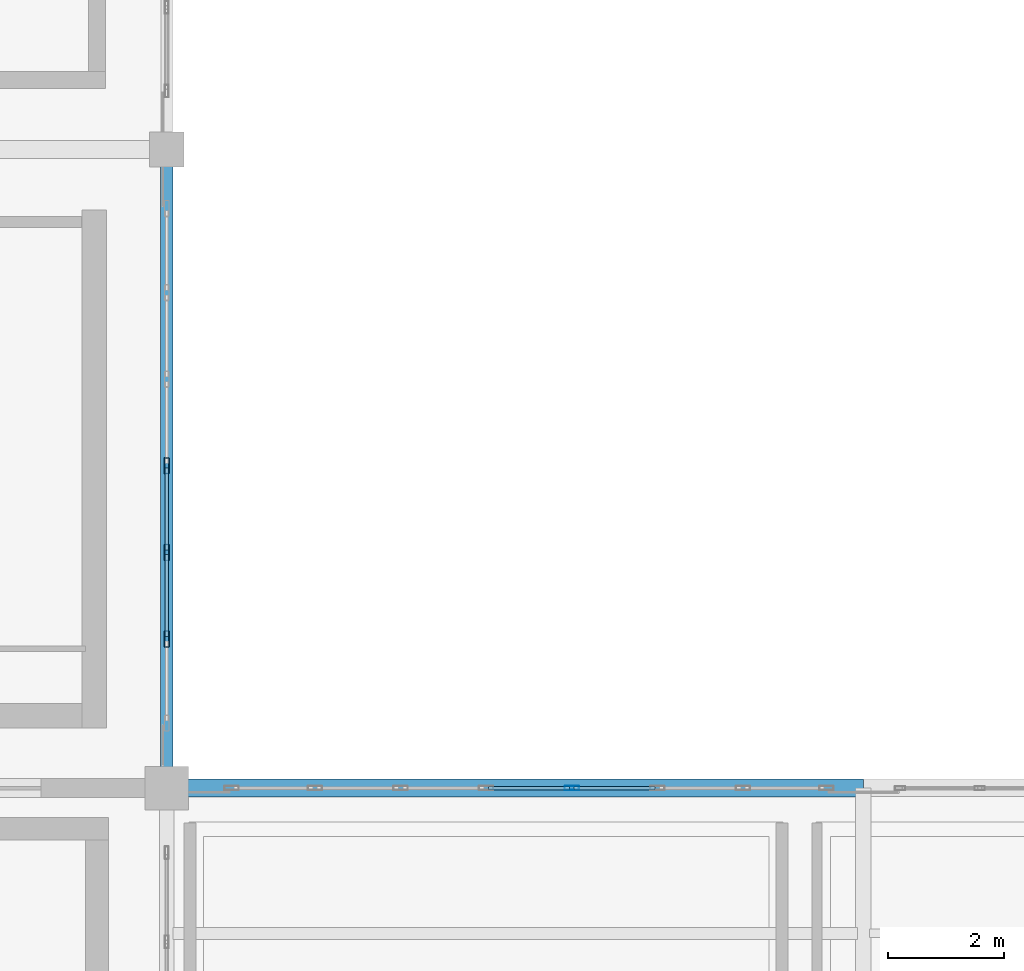
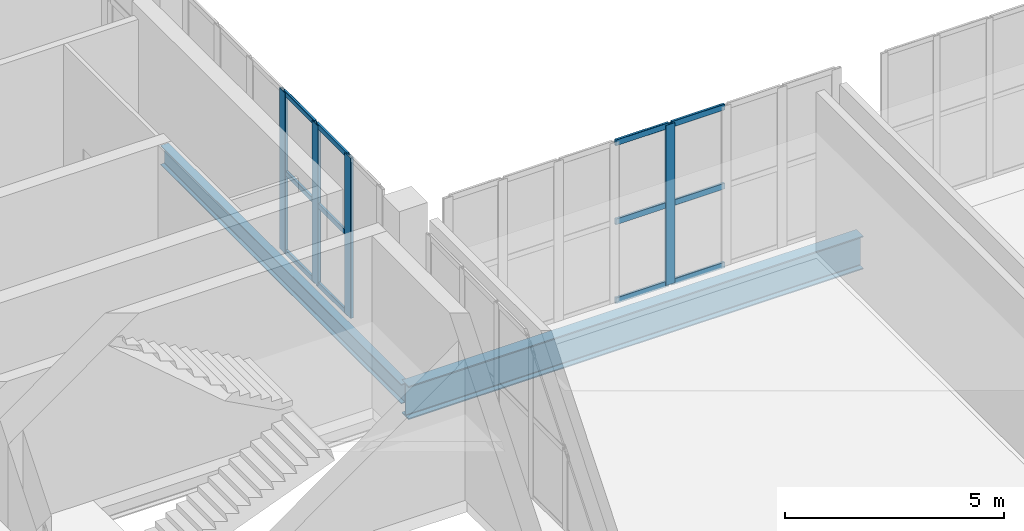
# One storey, part 83 of 136: 16 members, 2 beams, 2 elements without a shape of their own.
"""IFC4 building model written with IfcOpenShell, lengths in metres."""

import ifcopenshell
import ifcopenshell.guid

model = None  # the IFC model being written
_history = None  # IfcOwnerHistory: only IFC2X3 demands one
_inside = {}  # id of a spatial element -> (the spatial element, [elements in it])
_under = {}  # id of a project, library or spatial element -> (it, [spatial elements below it])
_declared = {}  # id of a project -> (the project, [libraries it declares])
_typed = {}  # id of a type object -> (the type object, [elements of that type])
_made_of = {}  # id of a material, layer set ... -> (it, [elements and type objects made of it])


def new_model(schema):
    """Start an empty IFC model of exactly this schema.

    Asked for "IFC4X3", IfcOpenShell would pick the latest addendum, in which some entities
    have other attributes; the version numbers below select the first issue.
    IFC2X3 requires an IfcOwnerHistory on every rooted entity: one is made here for all.
    """
    global model, _history
    if schema == "IFC4X3":
        model = ifcopenshell.file(schema_version=(4, 3, 0, 0))
    else:
        model = ifcopenshell.file(schema=schema)
    _inside.clear()
    _under.clear()
    _declared.clear()
    _typed.clear()
    _made_of.clear()
    _history = None
    if model.schema == "IFC2X3":
        org = make("IfcOrganization", Name="unknown")
        user = make(
            "IfcPersonAndOrganization",
            ThePerson=make("IfcPerson", FamilyName="unknown"),
            TheOrganization=org,
        )
        app = make(
            "IfcApplication",
            ApplicationDeveloper=org,
            Version="unknown",
            ApplicationFullName="unknown",
            ApplicationIdentifier="unknown",
        )
        _history = make(
            "IfcOwnerHistory",
            OwningUser=user,
            OwningApplication=app,
            ChangeAction="ADDED",
            CreationDate=0,
        )
    return model


def make(cls, **values):
    """One entity of the class cls with the attributes given. An attribute that is None is left unset."""
    return model.create_entity(
        cls, **{name: value for name, value in values.items() if value is not None}
    )


def rooted(cls, **values):
    """An entity with a GlobalId (a new one), such as an element, a storey or a relation."""
    return make(cls, GlobalId=ifcopenshell.guid.new(), OwnerHistory=_history, **values)


def si_unit(unit_type, name, prefix=None):
    """IfcSIUnit, for example si_unit("LENGTHUNIT", "METRE", prefix="MILLI")."""
    return make("IfcSIUnit", UnitType=unit_type, Prefix=prefix, Name=name)


def assignment(units):
    """IfcUnitAssignment: the units of a project."""
    return None if units is None else make("IfcUnitAssignment", Units=units)


def point(xyz):
    """IfcCartesianPoint."""
    return None if xyz is None else make("IfcCartesianPoint", Coordinates=xyz)


def direction(xyz):
    """IfcDirection."""
    return None if xyz is None else make("IfcDirection", DirectionRatios=xyz)


def frame(location, z_axis=None, x_axis=None):
    """IfcAxis2Placement3D, a coordinate frame: its origin and axes. An axis left out is left unset."""
    return make(
        "IfcAxis2Placement3D",
        Location=point(location),
        Axis=direction(z_axis),
        RefDirection=direction(x_axis),
    )


def frame_2d(location, x_axis=None):
    """IfcAxis2Placement2D, a coordinate frame in the plane: its origin and x axis."""
    return make(
        "IfcAxis2Placement2D", Location=point(location), RefDirection=direction(x_axis)
    )


def origin():
    """The frame at (0, 0, 0) with its axes left unset."""
    return frame((0.0, 0.0, 0.0))


def origin_2d():
    """The frame at (0, 0) in the plane with its x axis left unset."""
    return frame_2d((0.0, 0.0))


def place(relative_to, where):
    """IfcLocalPlacement: puts the frame where relative to a parent placement (None: the world)."""
    return make(
        "IfcLocalPlacement", PlacementRelTo=relative_to, RelativePlacement=where
    )


def context(
    kind, dimensions, precision=None, world=None, true_north=None, identifier=None
):
    """IfcGeometricRepresentationContext, for example the 3D "Model" context."""
    return make(
        "IfcGeometricRepresentationContext",
        ContextIdentifier=identifier,
        ContextType=kind,
        CoordinateSpaceDimension=dimensions,
        Precision=precision,
        WorldCoordinateSystem=world,
        TrueNorth=true_north,
    )


def subcontext(parent, identifier, kind, view, scale=None):
    """IfcGeometricRepresentationSubContext, for example "Body" below "Model"."""
    return make(
        "IfcGeometricRepresentationSubContext",
        ContextIdentifier=identifier,
        ContextType=kind,
        ParentContext=parent,
        TargetScale=scale,
        TargetView=view,
    )


def project(units=None, contexts=None):
    """IfcProject with its units and contexts."""
    return rooted(
        "IfcProject",
        Name="project",
        RepresentationContexts=contexts,
        UnitsInContext=assignment(units),
    )


def spatial(cls, under=None, at=None, **own):
    """A site, building, storey or space (cls), placed at a placement, below another one or the project."""
    s = rooted(cls, ObjectPlacement=at, **own)
    if under is not None:
        _under.setdefault(under.id(), (under, []))[1].append(s)
    return s


def profile(cls, at=None, kind="AREA", **sizes):
    """A parametric profile (cls). Its sizes go by their IFC names, for example OverallWidth=200.0."""
    return make(cls, ProfileType=kind, Position=at, **sizes)


def hollow_rectangle(**sizes):
    """IfcRectangleHollowProfileDef."""
    return profile("IfcRectangleHollowProfileDef", **sizes)


def i_section(**sizes):
    """IfcIShapeProfileDef."""
    return profile("IfcIShapeProfileDef", **sizes)


def extrude(swept, where, along, depth):
    """IfcExtrudedAreaSolid: the profile swept, set in the frame where, extruded along a direction by depth."""
    return make(
        "IfcExtrudedAreaSolid",
        SweptArea=swept,
        Position=where,
        ExtrudedDirection=direction(along),
        Depth=depth,
    )


def shape(context_of_items, identifier, shape_type, items):
    """IfcShapeRepresentation: the items that make up one representation, for example the "Body"."""
    return make(
        "IfcShapeRepresentation",
        ContextOfItems=context_of_items,
        RepresentationIdentifier=identifier,
        RepresentationType=shape_type,
        Items=items,
    )


def material(Name=None, Category=None):
    """IfcMaterial."""
    return make("IfcMaterial", Name=Name, Category=Category)


def layer(
    of_material, thickness, ventilated=None, Name=None, Category=None, Priority=None
):
    """IfcMaterialLayer: one layer of a wall or slab, of a material (None: an air gap)."""
    return make(
        "IfcMaterialLayer",
        Material=of_material,
        LayerThickness=thickness,
        IsVentilated=ventilated,
        Name=Name,
        Category=Category,
        Priority=Priority,
    )


def layer_set(layers, Name=None):
    """IfcMaterialLayerSet."""
    return make("IfcMaterialLayerSet", MaterialLayers=layers, LayerSetName=Name)


def material_profile(
    of_material, cross_section, Name=None, Category=None, Priority=None
):
    """IfcMaterialProfile: a cross section and its material."""
    return make(
        "IfcMaterialProfile",
        Name=Name,
        Material=of_material,
        Profile=cross_section,
        Priority=Priority,
        Category=Category,
    )


def profile_set(profiles, Name=None, composite=None):
    """IfcMaterialProfileSet."""
    return make(
        "IfcMaterialProfileSet",
        Name=Name,
        MaterialProfiles=profiles,
        CompositeProfile=composite,
    )


def made_of(thing, what):
    """Note that an element or type object is made of a material, layer set ...; save() writes the relation."""
    if what is not None:
        _made_of.setdefault(what.id(), (what, []))[1].append(thing)
    return thing


def type_object(cls, material=None, **own):
    """A type object (cls), such as IfcWallType, which elements share."""
    return made_of(rooted(cls, **own), material)


def element(
    cls,
    number,
    at=None,
    inside=None,
    cuts=None,
    type_object=None,
    material=None,
    context=None,
    identifier="Body",
    shape_type=None,
    held_by="IfcProductDefinitionShape",
    body=None,
    shapes=None,
    **own,
):
    """One element of the class cls, such as IfcWall. Its Tag is "e" and its number.

    at: its placement. inside: the storey or other place that contains it. cuts: it is an
    opening in that element (IfcRelVoidsElement). A single representation is given by context,
    identifier, shape_type and body (its items); several are given by shapes. held_by: the class
    of the entity that holds the representations. save() writes the other relations.
    """
    e = rooted(cls, Tag="e%d" % number, ObjectPlacement=at, **own)
    if body is not None:
        shapes = [shape(context, identifier, shape_type, body)]
    if shapes is not None:
        e.Representation = make(held_by, Representations=shapes)
    if inside is not None:
        _inside.setdefault(inside.id(), (inside, []))[1].append(e)
    if cuts is not None:
        rooted(
            "IfcRelVoidsElement", RelatingBuildingElement=cuts, RelatedOpeningElement=e
        )
    if type_object is not None:
        _typed.setdefault(type_object.id(), (type_object, []))[1].append(e)
    return made_of(e, material)


def aggregate(whole, parts):
    """IfcRelAggregates: a whole, such as a stair, and the parts it consists of."""
    return rooted("IfcRelAggregates", RelatingObject=whole, RelatedObjects=parts)


def save(model, path):
    """Write the relations noted so far, then the file.

    IfcRelAggregates (storeys below a building ...), IfcRelContainedInSpatialStructure (elements
    in a storey), IfcRelDefinesByType, IfcRelAssociatesMaterial and IfcRelDeclares: one each for
    every whole, place, type object, material and project.
    """
    for whole, parts in _under.values():
        aggregate(whole, parts)
    for where, things in _inside.values():
        rooted(
            "IfcRelContainedInSpatialStructure",
            RelatedElements=things,
            RelatingStructure=where,
        )
    for kind, things in _typed.values():
        rooted("IfcRelDefinesByType", RelatedObjects=things, RelatingType=kind)
    for what, things in _made_of.values():
        rooted("IfcRelAssociatesMaterial", RelatedObjects=things, RelatingMaterial=what)
    for by, libraries in _declared.values():
        rooted("IfcRelDeclares", RelatingContext=by, RelatedDefinitions=libraries)
    model.write(path)


model = new_model("IFC4")

# Units and contexts
model_context = context("Model", 3, precision=1e-05, world=origin(), true_north=direction((0.0, 1.0)))
body_context = subcontext(model_context, "Body", "Model", "MODEL_VIEW")
ifc_project = project(units=[si_unit("LENGTHUNIT", "METRE"), si_unit("AREAUNIT", "SQUARE_METRE"), si_unit("VOLUMEUNIT", "CUBIC_METRE"), si_unit("PLANEANGLEUNIT", "RADIAN"), si_unit("MASSUNIT", "GRAM", prefix="KILO")], contexts=[model_context])

# Site, building, storey
site_placement = place(None, origin())
site = spatial("IfcSite", under=ifc_project, at=site_placement, CompositionType="ELEMENT")
building_placement = place(site_placement, origin())
building = spatial("IfcBuilding", under=site, at=building_placement, Name="Brinegate Civic Arena", CompositionType="ELEMENT")
storey_placement = place(building_placement, frame((0.0, 0.0, 5.39990234375)))
storey = spatial("IfcBuildingStorey", under=building, at=storey_placement, Name="L01", CompositionType="ELEMENT", Elevation=5.39990234375)

# Curtain wall, member
ifc_material_1 = material(Name="Marine grade aluminium", Category="aluminium")
ifc_layer_1 = layer(ifc_material_1, 0.18505859375, Name="Marine grade aluminium")
ifc_layer_set_1 = layer_set([ifc_layer_1], Name="Marine grade aluminium")
curtain_wall_type_1 = type_object("IfcCurtainWallType", Name="CW-WING-GLAZED-03", PredefinedType="USERDEFINED", material=ifc_layer_set_1)
curtain_wall_1_placement = place(storey_placement, origin())
curtain_wall_1 = element("IfcCurtainWall", 1, at=curtain_wall_1_placement, inside=storey, type_object=curtain_wall_type_1, Name="Curtain Wall CWA-040", ObjectType="GLAZED CURTAIN WALL", PredefinedType="USERDEFINED")
ifc_material_profile_1 = material_profile(ifc_material_1, hollow_rectangle(XDim=0.074951171875, YDim=0.25, WallThickness=0.006103515625, InnerFilletRadius=0.00390625, OuterFilletRadius=0.008056640625, at=origin_2d()), Name="MUL75X250")
ifc_profile_set_1 = profile_set([ifc_material_profile_1], Name="Marine grade aluminium")
member_type_1 = type_object("IfcMemberType", Name="CW-MULLION-75X250", PredefinedType="MULLION", material=ifc_profile_set_1)
member_1_placement = place(storey_placement, frame((174.97705078125, 82.0, 0.0), z_axis=(0.0, 0.0, 1.0), x_axis=(0.0, 1.0, 0.0)))
member_1 = element("IfcMember", 2, at=member_1_placement, type_object=member_type_1, Name="CWA-040 mullion 5", PredefinedType="MULLION", context=body_context, shape_type="SweptSolid", body=[
    extrude(hollow_rectangle(XDim=0.074951171875, YDim=0.25, WallThickness=0.006103515625, InnerFilletRadius=0.00390625, OuterFilletRadius=0.008056640625, at=origin_2d()), origin(), (0.0, 0.0, 1.0), 4.47021484375),
])

# Curtain wall, members
ifc_layer_2 = layer(ifc_material_1, 0.199951171875, Name="Marine grade aluminium")
ifc_layer_set_2 = layer_set([ifc_layer_2], Name="Marine grade aluminium")
curtain_wall_type_2 = type_object("IfcCurtainWallType", Name="CW-BOWL-GLAZED-01", PredefinedType="USERDEFINED", material=ifc_layer_set_2)
curtain_wall_2_placement = place(storey_placement, origin())
curtain_wall_2 = element("IfcCurtainWall", 3, at=curtain_wall_2_placement, inside=storey, type_object=curtain_wall_type_2, Name="Curtain Wall CWA-057", ObjectType="GLAZED CURTAIN WALL", PredefinedType="USERDEFINED")
ifc_material_profile_2 = material_profile(ifc_material_1, hollow_rectangle(XDim=0.080078125, YDim=0.280029296875, WallThickness=0.007080078125, InnerFilletRadius=0.0048828125, OuterFilletRadius=0.010009765625, at=origin_2d()), Name="MUL80X280")
ifc_profile_set_2 = profile_set([ifc_material_profile_2], Name="Marine grade aluminium")
member_type_2 = type_object("IfcMemberType", Name="CW-MULLION-80X280", PredefinedType="MULLION", material=ifc_profile_set_2)
member_2_placement = place(storey_placement, frame((168.0, 84.571044921875, 0.0), z_axis=(0.0, 0.0, 1.0), x_axis=(-1.0, 0.0, 0.0)))
member_2 = element("IfcMember", 4, at=member_2_placement, type_object=member_type_2, Name="CWA-057 mullion 2", PredefinedType="MULLION", context=body_context, shape_type="SweptSolid", body=[
    extrude(hollow_rectangle(XDim=0.080078125, YDim=0.280029296875, WallThickness=0.007080078125, InnerFilletRadius=0.0048828125, OuterFilletRadius=0.010009765625, at=origin_2d()), origin(), (0.0, 0.0, 1.0), 4.47021484375),
])
member_3_placement = place(storey_placement, frame((168.0, 86.06201171875, 0.0), z_axis=(0.0, 0.0, 1.0), x_axis=(-1.0, 0.0, 0.0)))
member_3 = element("IfcMember", 5, at=member_3_placement, type_object=member_type_2, Name="CWA-057 mullion 3", PredefinedType="MULLION", context=body_context, shape_type="SweptSolid", body=[
    extrude(hollow_rectangle(XDim=0.080078125, YDim=0.280029296875, WallThickness=0.007080078125, InnerFilletRadius=0.0048828125, OuterFilletRadius=0.010009765625, at=origin_2d()), origin(), (0.0, 0.0, 1.0), 4.47021484375),
])
member_4_placement = place(storey_placement, frame((168.0, 87.552978515625, 0.0), z_axis=(0.0, 0.0, 1.0), x_axis=(-1.0, 0.0, 0.0)))
member_4 = element("IfcMember", 6, at=member_4_placement, type_object=member_type_2, Name="CWA-057 mullion 4", PredefinedType="MULLION", context=body_context, shape_type="SweptSolid", body=[
    extrude(hollow_rectangle(XDim=0.080078125, YDim=0.280029296875, WallThickness=0.007080078125, InnerFilletRadius=0.0048828125, OuterFilletRadius=0.010009765625, at=origin_2d()), origin(), (0.0, 0.0, 1.0), 4.47021484375),
])
ifc_material_profile_3 = material_profile(ifc_material_1, hollow_rectangle(XDim=0.06494140625, YDim=0.139892578125, WallThickness=0.0048828125, InnerFilletRadius=0.00390625, OuterFilletRadius=0.008056640625, at=origin_2d()), Name="TRN65X140")
ifc_profile_set_3 = profile_set([ifc_material_profile_3], Name="Marine grade aluminium")
member_type_3 = type_object("IfcMemberType", Name="CW-TRANSOM-65X140", PredefinedType="USERDEFINED", material=ifc_profile_set_3)
member_5_placement = place(storey_placement, frame((168.0, 84.611083984375, 0.03271484375), z_axis=(0.0, 1.0, 0.0), x_axis=(-1.0, 0.0, 0.0)))
member_5 = element("IfcMember", 7, at=member_5_placement, type_object=member_type_3, Name="CWA-057 transom 2.1", ObjectType="TRANSOM", PredefinedType="USERDEFINED", context=body_context, shape_type="SweptSolid", body=[
    extrude(hollow_rectangle(XDim=0.06494140625, YDim=0.139892578125, WallThickness=0.0048828125, InnerFilletRadius=0.00390625, OuterFilletRadius=0.008056640625, at=origin_2d()), origin(), (0.0, 0.0, 1.0), 1.410888671875),
])
member_6_placement = place(storey_placement, frame((168.0, 84.611083984375, 2.235107421875), z_axis=(0.0, 1.0, 0.0), x_axis=(-1.0, 0.0, 0.0)))
member_6 = element("IfcMember", 8, at=member_6_placement, type_object=member_type_3, Name="CWA-057 transom 2.2", ObjectType="TRANSOM", PredefinedType="USERDEFINED", context=body_context, shape_type="SweptSolid", body=[
    extrude(hollow_rectangle(XDim=0.06494140625, YDim=0.139892578125, WallThickness=0.0048828125, InnerFilletRadius=0.00390625, OuterFilletRadius=0.008056640625, at=origin_2d()), origin(), (0.0, 0.0, 1.0), 1.410888671875),
])
member_7_placement = place(storey_placement, frame((168.0, 84.611083984375, 4.4375), z_axis=(0.0, 1.0, 0.0), x_axis=(-1.0, 0.0, 0.0)))
member_7 = element("IfcMember", 9, at=member_7_placement, type_object=member_type_3, Name="CWA-057 transom 2.3", ObjectType="TRANSOM", PredefinedType="USERDEFINED", context=body_context, shape_type="SweptSolid", body=[
    extrude(hollow_rectangle(XDim=0.06494140625, YDim=0.139892578125, WallThickness=0.0048828125, InnerFilletRadius=0.00390625, OuterFilletRadius=0.008056640625, at=origin_2d()), origin(), (0.0, 0.0, 1.0), 1.410888671875),
])
member_8_placement = place(storey_placement, frame((168.0, 86.10205078125, 0.03271484375), z_axis=(0.0, 1.0, 0.0), x_axis=(-1.0, 0.0, 0.0)))
member_8 = element("IfcMember", 10, at=member_8_placement, type_object=member_type_3, Name="CWA-057 transom 3.1", ObjectType="TRANSOM", PredefinedType="USERDEFINED", context=body_context, shape_type="SweptSolid", body=[
    extrude(hollow_rectangle(XDim=0.06494140625, YDim=0.139892578125, WallThickness=0.0048828125, InnerFilletRadius=0.00390625, OuterFilletRadius=0.008056640625, at=origin_2d()), origin(), (0.0, 0.0, 1.0), 1.410888671875),
])
member_9_placement = place(storey_placement, frame((168.0, 86.10205078125, 2.235107421875), z_axis=(0.0, 1.0, 0.0), x_axis=(-1.0, 0.0, 0.0)))
member_9 = element("IfcMember", 11, at=member_9_placement, type_object=member_type_3, Name="CWA-057 transom 3.2", ObjectType="TRANSOM", PredefinedType="USERDEFINED", context=body_context, shape_type="SweptSolid", body=[
    extrude(hollow_rectangle(XDim=0.06494140625, YDim=0.139892578125, WallThickness=0.0048828125, InnerFilletRadius=0.00390625, OuterFilletRadius=0.008056640625, at=origin_2d()), origin(), (0.0, 0.0, 1.0), 1.410888671875),
])
member_10_placement = place(storey_placement, frame((168.0, 86.10205078125, 4.4375), z_axis=(0.0, 1.0, 0.0), x_axis=(-1.0, 0.0, 0.0)))
member_10 = element("IfcMember", 12, at=member_10_placement, type_object=member_type_3, Name="CWA-057 transom 3.3", ObjectType="TRANSOM", PredefinedType="USERDEFINED", context=body_context, shape_type="SweptSolid", body=[
    extrude(hollow_rectangle(XDim=0.06494140625, YDim=0.139892578125, WallThickness=0.0048828125, InnerFilletRadius=0.00390625, OuterFilletRadius=0.008056640625, at=origin_2d()), origin(), (0.0, 0.0, 1.0), 1.410888671875),
])
aggregate(curtain_wall_2, [member_2, member_3, member_4, member_5, member_6, member_7, member_8, member_9, member_10])

# Member
ifc_material_profile_4 = material_profile(ifc_material_1, hollow_rectangle(XDim=0.06494140625, YDim=0.1650390625, WallThickness=0.0048828125, InnerFilletRadius=0.00390625, OuterFilletRadius=0.008056640625, at=origin_2d()), Name="TRN65X165")
ifc_profile_set_4 = profile_set([ifc_material_profile_4], Name="Marine grade aluminium")
member_type_4 = type_object("IfcMemberType", Name="CW-TRANSOM-65X165", PredefinedType="USERDEFINED", material=ifc_profile_set_4)
member_11_placement = place(storey_placement, frame((173.540283203125, 82.0, 0.03271484375), z_axis=(1.0, 0.0, 0.0), x_axis=(0.0, 1.0, 0.0)))
member_11 = element("IfcMember", 13, at=member_11_placement, type_object=member_type_4, Name="CWA-040 transom 4.1", ObjectType="TRANSOM", PredefinedType="USERDEFINED", context=body_context, shape_type="SweptSolid", body=[
    extrude(hollow_rectangle(XDim=0.06494140625, YDim=0.1650390625, WallThickness=0.0048828125, InnerFilletRadius=0.00390625, OuterFilletRadius=0.008056640625, at=origin_2d()), origin(), (0.0, 0.0, 1.0), 1.3994140625),
])

member_12_placement = place(storey_placement, frame((173.540283203125, 82.0, 2.235107421875), z_axis=(1.0, 0.0, 0.0), x_axis=(0.0, 1.0, 0.0)))
member_12 = element("IfcMember", 14, at=member_12_placement, type_object=member_type_4, Name="CWA-040 transom 4.2", ObjectType="TRANSOM", PredefinedType="USERDEFINED", context=body_context, shape_type="SweptSolid", body=[
    extrude(hollow_rectangle(XDim=0.06494140625, YDim=0.1650390625, WallThickness=0.0048828125, InnerFilletRadius=0.00390625, OuterFilletRadius=0.008056640625, at=origin_2d()), origin(), (0.0, 0.0, 1.0), 1.3994140625),
])

member_13_placement = place(storey_placement, frame((173.540283203125, 82.0, 4.4375), z_axis=(1.0, 0.0, 0.0), x_axis=(0.0, 1.0, 0.0)))
member_13 = element("IfcMember", 15, at=member_13_placement, type_object=member_type_4, Name="CWA-040 transom 4.3", ObjectType="TRANSOM", PredefinedType="USERDEFINED", context=body_context, shape_type="SweptSolid", body=[
    extrude(hollow_rectangle(XDim=0.06494140625, YDim=0.1650390625, WallThickness=0.0048828125, InnerFilletRadius=0.00390625, OuterFilletRadius=0.008056640625, at=origin_2d()), origin(), (0.0, 0.0, 1.0), 1.3994140625),
])

member_14_placement = place(storey_placement, frame((175.0146484375, 82.0, 0.03271484375), z_axis=(1.0, 0.0, 0.0), x_axis=(0.0, 1.0, 0.0)))
member_14 = element("IfcMember", 16, at=member_14_placement, type_object=member_type_4, Name="CWA-040 transom 5.1", ObjectType="TRANSOM", PredefinedType="USERDEFINED", context=body_context, shape_type="SweptSolid", body=[
    extrude(hollow_rectangle(XDim=0.06494140625, YDim=0.1650390625, WallThickness=0.0048828125, InnerFilletRadius=0.00390625, OuterFilletRadius=0.008056640625, at=origin_2d()), origin(), (0.0, 0.0, 1.0), 1.399169921875),
])

member_15_placement = place(storey_placement, frame((175.0146484375, 82.0, 2.235107421875), z_axis=(1.0, 0.0, 0.0), x_axis=(0.0, 1.0, 0.0)))
member_15 = element("IfcMember", 17, at=member_15_placement, type_object=member_type_4, Name="CWA-040 transom 5.2", ObjectType="TRANSOM", PredefinedType="USERDEFINED", context=body_context, shape_type="SweptSolid", body=[
    extrude(hollow_rectangle(XDim=0.06494140625, YDim=0.1650390625, WallThickness=0.0048828125, InnerFilletRadius=0.00390625, OuterFilletRadius=0.008056640625, at=origin_2d()), origin(), (0.0, 0.0, 1.0), 1.399169921875),
])

member_16_placement = place(storey_placement, frame((175.0146484375, 82.0, 4.4375), z_axis=(1.0, 0.0, 0.0), x_axis=(0.0, 1.0, 0.0)))
member_16 = element("IfcMember", 18, at=member_16_placement, type_object=member_type_4, Name="CWA-040 transom 5.3", ObjectType="TRANSOM", PredefinedType="USERDEFINED", context=body_context, shape_type="SweptSolid", body=[
    extrude(hollow_rectangle(XDim=0.06494140625, YDim=0.1650390625, WallThickness=0.0048828125, InnerFilletRadius=0.00390625, OuterFilletRadius=0.008056640625, at=origin_2d()), origin(), (0.0, 0.0, 1.0), 1.399169921875),
])

aggregate(curtain_wall_1, [member_1, member_11, member_12, member_13, member_14, member_15, member_16])

# Beams
ifc_material_2 = material(Name="Steel S355", Category="steel")
ifc_material_profile_5 = material_profile(ifc_material_2, i_section(OverallWidth=0.30810546875, OverallDepth=0.927001953125, WebThickness=0.01904296875, FlangeThickness=0.031982421875, FilletRadius=0.02392578125, at=origin_2d()), Name="W920X289")
ifc_profile_set_5 = profile_set([ifc_material_profile_5], Name="Steel S355")
beam_type_1 = type_object("IfcBeamType", Name="GIRDER-W920X289", PredefinedType="BEAM", material=ifc_profile_set_5)
beam_1_placement = place(storey_placement, frame((168.0, 82.0, -0.802978515625), z_axis=(1.0, 0.0, 0.0), x_axis=(0.0, 1.0, 0.0)))
element("IfcBeam", 19, at=beam_1_placement, inside=storey, type_object=beam_type_1, Name="Floor Girder BM-L01-GX-14-08", PredefinedType="BEAM", context=body_context, shape_type="SweptSolid", body=[
    extrude(i_section(OverallWidth=0.30810546875, OverallDepth=0.927001953125, WebThickness=0.01904296875, FlangeThickness=0.031982421875, FilletRadius=0.02392578125, at=origin_2d()), origin(), (0.0, 0.0, 1.0), 12.0),
])
ifc_material_profile_6 = material_profile(ifc_material_2, i_section(OverallWidth=0.2119140625, OverallDepth=0.5439453125, WebThickness=0.012939453125, FlangeThickness=0.02099609375, FilletRadius=0.01611328125, at=origin_2d()), Name="W530X123")
ifc_profile_set_6 = profile_set([ifc_material_profile_6], Name="Steel S355")
beam_type_2 = type_object("IfcBeamType", Name="SPANDREL-W530X123", PredefinedType="SPANDREL", material=ifc_profile_set_6)
beam_2_placement = place(storey_placement, frame((168.0, 82.0, -0.61181640625), z_axis=(0.0, 1.0, 0.0), x_axis=(-1.0, 0.0, 0.0)))
element("IfcBeam", 20, at=beam_2_placement, inside=storey, type_object=beam_type_2, Name="Floor Girder BM-L01-GY-14-08", PredefinedType="SPANDREL", context=body_context, shape_type="SweptSolid", body=[
    extrude(i_section(OverallWidth=0.2119140625, OverallDepth=0.5439453125, WebThickness=0.012939453125, FlangeThickness=0.02099609375, FilletRadius=0.01611328125, at=origin_2d()), origin(), (0.0, 0.0, 1.0), 11.0),
])

save(model, "model.ifc")
